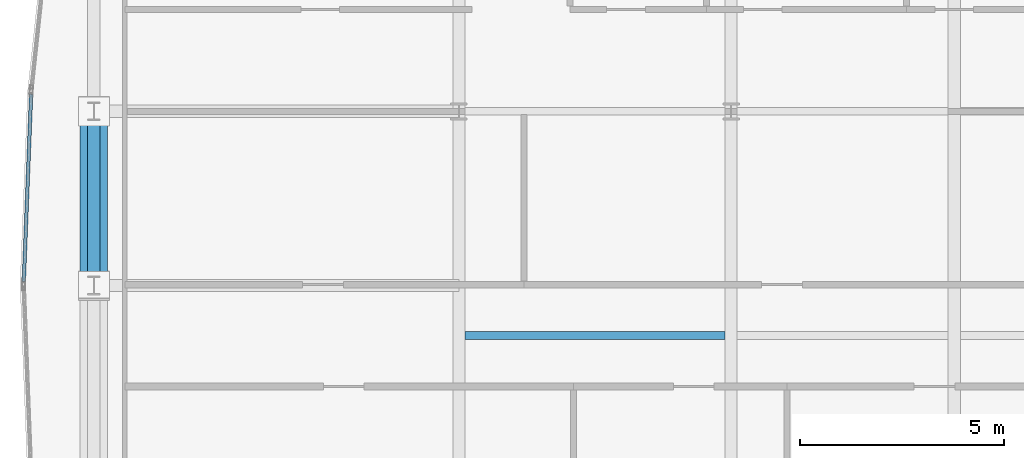
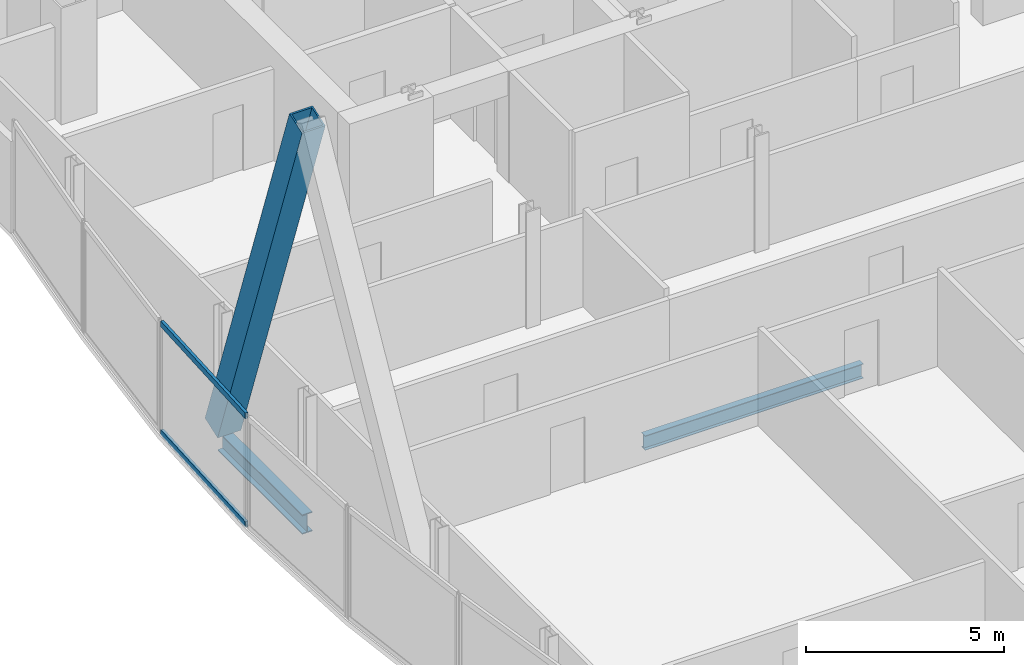
# One storey, part 11 of 31: 3 members, 2 beams, 1 element without a shape of its own.
"""IFC4 building model written with IfcOpenShell, lengths in metres."""

from ifc_helpers import new_model, si_unit, direction, frame, origin, origin_2d, place, context, subcontext, project, spatial, hollow_rectangle, i_section, extrude, material, material_profile, profile_set, type_object, element, aggregate, save


model = new_model("IFC4")

# Units and contexts
model_context = context("Model", 3, precision=1e-05, world=origin(), true_north=direction((0.0, 1.0)))
body_context = subcontext(model_context, "Body", "Model", "MODEL_VIEW")
ifc_project = project(units=[si_unit("LENGTHUNIT", "METRE"), si_unit("AREAUNIT", "SQUARE_METRE"), si_unit("VOLUMEUNIT", "CUBIC_METRE"), si_unit("PLANEANGLEUNIT", "RADIAN"), si_unit("MASSUNIT", "GRAM", prefix="KILO")], contexts=[model_context])

# Site, building, storey
site_placement = place(None, origin())
site = spatial("IfcSite", under=ifc_project, at=site_placement, CompositionType="ELEMENT")
building_placement = place(site_placement, origin())
building = spatial("IfcBuilding", under=site, at=building_placement, Name="Khoronbel Lancet Exchange", CompositionType="ELEMENT")
storey_placement = place(building_placement, frame((0.0, 0.0, 249.800048828125)))
storey = spatial("IfcBuildingStorey", under=building, at=storey_placement, Name="L64", CompositionType="ELEMENT", Elevation=249.800048828125)

# Beams
ifc_material_1 = material(Name="Steel S355", Category="steel")
ifc_material_profile_1 = material_profile(ifc_material_1, i_section(OverallWidth=0.18994140625, OverallDepth=0.449951171875, WebThickness=0.009521484375, FlangeThickness=0.0146484375, at=origin_2d()), Name="IPE 450")
ifc_profile_set_1 = profile_set([ifc_material_profile_1], Name="Steel S355")
beam_type_1 = type_object("IfcBeamType", Name="BM-BJ4", PredefinedType="JOIST", material=ifc_profile_set_1)
beam_1_placement = place(storey_placement, frame((18.375, 30.199951171875, -0.385009765625), z_axis=(1.0, 0.0, 0.0), x_axis=(0.0, 1.0, 0.0)))
element("IfcBeam", 1, at=beam_1_placement, inside=storey, type_object=beam_type_1, Name="Level L64 secondary composite joist J11", PredefinedType="JOIST", context=body_context, shape_type="SweptSolid", body=[
    extrude(i_section(OverallWidth=0.18994140625, OverallDepth=0.449951171875, WebThickness=0.009521484375, FlangeThickness=0.0146484375, at=origin_2d()), origin(), (0.0, 0.0, 1.0), 6.375),
])
ifc_material_profile_2 = material_profile(ifc_material_1, i_section(OverallWidth=0.300048828125, OverallDepth=0.60009765625, WebThickness=0.015380859375, FlangeThickness=0.030029296875, at=origin_2d()), Name="HEB 600")
ifc_profile_set_2 = profile_set([ifc_material_profile_2], Name="Steel S355")
beam_type_2 = type_object("IfcBeamType", Name="BM-BSP2", PredefinedType="SPANDREL", material=ifc_profile_set_2)
beam_2_placement = place(storey_placement, frame((9.27001953125, 35.699951171875, -0.4599609375), z_axis=(0.0, -1.0, 0.0), x_axis=(1.0, 0.0, 0.0)))
element("IfcBeam", 2, at=beam_2_placement, inside=storey, type_object=beam_type_2, Name="Level L64 perimeter spandrel beam SP18", PredefinedType="SPANDREL", context=body_context, shape_type="SweptSolid", body=[
    extrude(i_section(OverallWidth=0.300048828125, OverallDepth=0.60009765625, WebThickness=0.015380859375, FlangeThickness=0.030029296875, at=origin_2d()), origin(), (0.0, 0.0, 1.0), 4.27490234375),
])

# Curtain wall, members
ifc_material_2 = material(Name="Low-E Solar Control Insulating Glass", Category="glass")
curtain_wall_type = type_object("IfcCurtainWallType", Name="CW-4", PredefinedType="NOTDEFINED", material=ifc_material_2)
curtain_wall_placement = place(storey_placement, origin())
curtain_wall = element("IfcCurtainWall", 3, at=curtain_wall_placement, inside=storey, type_object=curtain_wall_type, Name="Unitised curtain wall CW-L64-E07", PredefinedType="NOTDEFINED")
ifc_material_3 = material(Name="Bronze-Anodised Aluminium 6063-T6", Category="aluminium")
ifc_material_profile_3 = material_profile(ifc_material_3, hollow_rectangle(XDim=0.0849609375, YDim=0.179931640625, WallThickness=0.0048828125, at=origin_2d()), Name="ALU TRANSOM 85x180")
ifc_profile_set_3 = profile_set([ifc_material_profile_3], Name="Bronze-Anodised Aluminium 6063-T6")
member_type_1 = type_object("IfcMemberType", Name="MEM-CWT1", PredefinedType="USERDEFINED", material=ifc_profile_set_3)
member_1_placement = place(storey_placement, frame((7.55322265625, 31.52490234375, 0.04248046875), z_axis=(0.03914085778, 0.999233703021, 0.0), x_axis=(-0.999233703021, 0.03914085778, 0.0)))
member_1 = element("IfcMember", 4, at=member_1_placement, type_object=member_type_1, Name="CW4 transom 1.1", ObjectType="TRANSOM", PredefinedType="USERDEFINED", context=body_context, shape_type="SweptSolid", body=[
    extrude(hollow_rectangle(XDim=0.0849609375, YDim=0.179931640625, WallThickness=0.0048828125, at=origin_2d()), origin(), (0.0, 0.0, 1.0), 4.596923828125),
])
member_2_placement = place(storey_placement, frame((7.55322265625, 31.52490234375, 3.3974609375), z_axis=(0.03914085778, 0.999233703021, 0.0), x_axis=(-0.999233703021, 0.03914085778, 0.0)))
member_2 = element("IfcMember", 5, at=member_2_placement, type_object=member_type_1, Name="CW4 transom 1.2", ObjectType="TRANSOM", PredefinedType="USERDEFINED", context=body_context, shape_type="SweptSolid", body=[
    extrude(hollow_rectangle(XDim=0.0849609375, YDim=0.179931640625, WallThickness=0.0048828125, at=origin_2d()), origin(), (0.0, 0.0, 1.0), 4.596923828125),
])
aggregate(curtain_wall, [member_1, member_2])

# Member
ifc_material_4 = material(Name="Steel S460", Category="steel")
ifc_material_profile_4 = material_profile(ifc_material_4, hollow_rectangle(XDim=0.679931640625, YDim=0.679931640625, WallThickness=0.044921875, at=origin_2d()), Name="BOX 680x680x45")
ifc_profile_set_4 = profile_set([ifc_material_profile_4], Name="Steel S460")
member_type_2 = type_object("IfcMemberType", Name="MEM-MB3", PredefinedType="BRACE", material=ifc_profile_set_4)
member_3_placement = place(storey_placement, frame((9.27001953125, 35.699951171875, 0.0), z_axis=(0.0, -0.335583554792, 0.94201044461), x_axis=(1.0, 0.0, 0.0)))
element("IfcMember", 6, at=member_3_placement, inside=storey, type_object=member_type_2, Name="Perimeter lancet brace tier 22 W-P-R", PredefinedType="BRACE", context=body_context, shape_type="SweptSolid", body=[
    extrude(hollow_rectangle(XDim=0.679931640625, YDim=0.679931640625, WallThickness=0.044921875, at=origin_2d()), origin(), (0.0, 0.0, 1.0), 12.73876953125),
])

save(model, "model.ifc")
